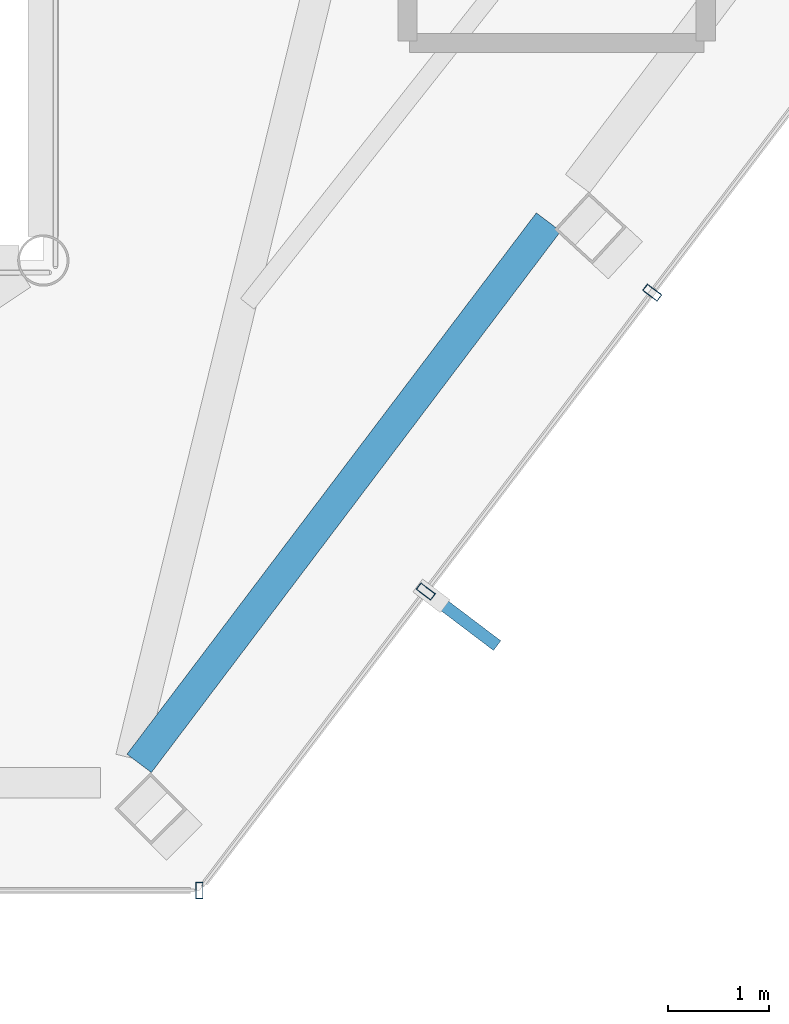
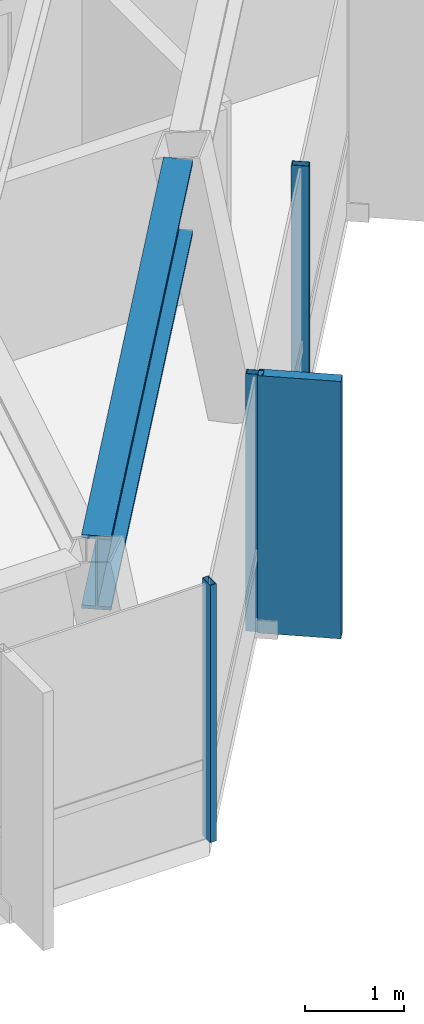
# One storey, part 7 of 26: 4 members, 1 beam, 2 elements without a shape of their own.
"""IFC4 building model written with IfcOpenShell, lengths in metres."""

import ifcopenshell
import ifcopenshell.guid

model = None  # the IFC model being written
_history = None  # IfcOwnerHistory: only IFC2X3 demands one
_inside = {}  # id of a spatial element -> (the spatial element, [elements in it])
_under = {}  # id of a project, library or spatial element -> (it, [spatial elements below it])
_declared = {}  # id of a project -> (the project, [libraries it declares])
_typed = {}  # id of a type object -> (the type object, [elements of that type])
_made_of = {}  # id of a material, layer set ... -> (it, [elements and type objects made of it])


def new_model(schema):
    """Start an empty IFC model of exactly this schema.

    Asked for "IFC4X3", IfcOpenShell would pick the latest addendum, in which some entities
    have other attributes; the version numbers below select the first issue.
    IFC2X3 requires an IfcOwnerHistory on every rooted entity: one is made here for all.
    """
    global model, _history
    if schema == "IFC4X3":
        model = ifcopenshell.file(schema_version=(4, 3, 0, 0))
    else:
        model = ifcopenshell.file(schema=schema)
    _inside.clear()
    _under.clear()
    _declared.clear()
    _typed.clear()
    _made_of.clear()
    _history = None
    if model.schema == "IFC2X3":
        org = make("IfcOrganization", Name="unknown")
        user = make(
            "IfcPersonAndOrganization",
            ThePerson=make("IfcPerson", FamilyName="unknown"),
            TheOrganization=org,
        )
        app = make(
            "IfcApplication",
            ApplicationDeveloper=org,
            Version="unknown",
            ApplicationFullName="unknown",
            ApplicationIdentifier="unknown",
        )
        _history = make(
            "IfcOwnerHistory",
            OwningUser=user,
            OwningApplication=app,
            ChangeAction="ADDED",
            CreationDate=0,
        )
    return model


def make(cls, **values):
    """One entity of the class cls with the attributes given. An attribute that is None is left unset."""
    return model.create_entity(
        cls, **{name: value for name, value in values.items() if value is not None}
    )


def rooted(cls, **values):
    """An entity with a GlobalId (a new one), such as an element, a storey or a relation."""
    return make(cls, GlobalId=ifcopenshell.guid.new(), OwnerHistory=_history, **values)


def si_unit(unit_type, name, prefix=None):
    """IfcSIUnit, for example si_unit("LENGTHUNIT", "METRE", prefix="MILLI")."""
    return make("IfcSIUnit", UnitType=unit_type, Prefix=prefix, Name=name)


def assignment(units):
    """IfcUnitAssignment: the units of a project."""
    return None if units is None else make("IfcUnitAssignment", Units=units)


def point(xyz):
    """IfcCartesianPoint."""
    return None if xyz is None else make("IfcCartesianPoint", Coordinates=xyz)


def direction(xyz):
    """IfcDirection."""
    return None if xyz is None else make("IfcDirection", DirectionRatios=xyz)


def frame(location, z_axis=None, x_axis=None):
    """IfcAxis2Placement3D, a coordinate frame: its origin and axes. An axis left out is left unset."""
    return make(
        "IfcAxis2Placement3D",
        Location=point(location),
        Axis=direction(z_axis),
        RefDirection=direction(x_axis),
    )


def frame_2d(location, x_axis=None):
    """IfcAxis2Placement2D, a coordinate frame in the plane: its origin and x axis."""
    return make(
        "IfcAxis2Placement2D", Location=point(location), RefDirection=direction(x_axis)
    )


def origin():
    """The frame at (0, 0, 0) with its axes left unset."""
    return frame((0.0, 0.0, 0.0))


def origin_2d():
    """The frame at (0, 0) in the plane with its x axis left unset."""
    return frame_2d((0.0, 0.0))


def place(relative_to, where):
    """IfcLocalPlacement: puts the frame where relative to a parent placement (None: the world)."""
    return make(
        "IfcLocalPlacement", PlacementRelTo=relative_to, RelativePlacement=where
    )


def context(
    kind, dimensions, precision=None, world=None, true_north=None, identifier=None
):
    """IfcGeometricRepresentationContext, for example the 3D "Model" context."""
    return make(
        "IfcGeometricRepresentationContext",
        ContextIdentifier=identifier,
        ContextType=kind,
        CoordinateSpaceDimension=dimensions,
        Precision=precision,
        WorldCoordinateSystem=world,
        TrueNorth=true_north,
    )


def subcontext(parent, identifier, kind, view, scale=None):
    """IfcGeometricRepresentationSubContext, for example "Body" below "Model"."""
    return make(
        "IfcGeometricRepresentationSubContext",
        ContextIdentifier=identifier,
        ContextType=kind,
        ParentContext=parent,
        TargetScale=scale,
        TargetView=view,
    )


def project(units=None, contexts=None):
    """IfcProject with its units and contexts."""
    return rooted(
        "IfcProject",
        Name="project",
        RepresentationContexts=contexts,
        UnitsInContext=assignment(units),
    )


def spatial(cls, under=None, at=None, **own):
    """A site, building, storey or space (cls), placed at a placement, below another one or the project."""
    s = rooted(cls, ObjectPlacement=at, **own)
    if under is not None:
        _under.setdefault(under.id(), (under, []))[1].append(s)
    return s


def profile(cls, at=None, kind="AREA", **sizes):
    """A parametric profile (cls). Its sizes go by their IFC names, for example OverallWidth=200.0."""
    return make(cls, ProfileType=kind, Position=at, **sizes)


def rectangle(**sizes):
    """IfcRectangleProfileDef."""
    return profile("IfcRectangleProfileDef", **sizes)


def hollow_rectangle(**sizes):
    """IfcRectangleHollowProfileDef."""
    return profile("IfcRectangleHollowProfileDef", **sizes)


def i_section(**sizes):
    """IfcIShapeProfileDef."""
    return profile("IfcIShapeProfileDef", **sizes)


def extrude(swept, where, along, depth):
    """IfcExtrudedAreaSolid: the profile swept, set in the frame where, extruded along a direction by depth."""
    return make(
        "IfcExtrudedAreaSolid",
        SweptArea=swept,
        Position=where,
        ExtrudedDirection=direction(along),
        Depth=depth,
    )


def shape(context_of_items, identifier, shape_type, items):
    """IfcShapeRepresentation: the items that make up one representation, for example the "Body"."""
    return make(
        "IfcShapeRepresentation",
        ContextOfItems=context_of_items,
        RepresentationIdentifier=identifier,
        RepresentationType=shape_type,
        Items=items,
    )


def material(Name=None, Category=None):
    """IfcMaterial."""
    return make("IfcMaterial", Name=Name, Category=Category)


def layer(
    of_material, thickness, ventilated=None, Name=None, Category=None, Priority=None
):
    """IfcMaterialLayer: one layer of a wall or slab, of a material (None: an air gap)."""
    return make(
        "IfcMaterialLayer",
        Material=of_material,
        LayerThickness=thickness,
        IsVentilated=ventilated,
        Name=Name,
        Category=Category,
        Priority=Priority,
    )


def layer_set(layers, Name=None):
    """IfcMaterialLayerSet."""
    return make("IfcMaterialLayerSet", MaterialLayers=layers, LayerSetName=Name)


def material_profile(
    of_material, cross_section, Name=None, Category=None, Priority=None
):
    """IfcMaterialProfile: a cross section and its material."""
    return make(
        "IfcMaterialProfile",
        Name=Name,
        Material=of_material,
        Profile=cross_section,
        Priority=Priority,
        Category=Category,
    )


def profile_set(profiles, Name=None, composite=None):
    """IfcMaterialProfileSet."""
    return make(
        "IfcMaterialProfileSet",
        Name=Name,
        MaterialProfiles=profiles,
        CompositeProfile=composite,
    )


def made_of(thing, what):
    """Note that an element or type object is made of a material, layer set ...; save() writes the relation."""
    if what is not None:
        _made_of.setdefault(what.id(), (what, []))[1].append(thing)
    return thing


def type_object(cls, material=None, **own):
    """A type object (cls), such as IfcWallType, which elements share."""
    return made_of(rooted(cls, **own), material)


def element(
    cls,
    number,
    at=None,
    inside=None,
    cuts=None,
    type_object=None,
    material=None,
    context=None,
    identifier="Body",
    shape_type=None,
    held_by="IfcProductDefinitionShape",
    body=None,
    shapes=None,
    **own,
):
    """One element of the class cls, such as IfcWall. Its Tag is "e" and its number.

    at: its placement. inside: the storey or other place that contains it. cuts: it is an
    opening in that element (IfcRelVoidsElement). A single representation is given by context,
    identifier, shape_type and body (its items); several are given by shapes. held_by: the class
    of the entity that holds the representations. save() writes the other relations.
    """
    e = rooted(cls, Tag="e%d" % number, ObjectPlacement=at, **own)
    if body is not None:
        shapes = [shape(context, identifier, shape_type, body)]
    if shapes is not None:
        e.Representation = make(held_by, Representations=shapes)
    if inside is not None:
        _inside.setdefault(inside.id(), (inside, []))[1].append(e)
    if cuts is not None:
        rooted(
            "IfcRelVoidsElement", RelatingBuildingElement=cuts, RelatedOpeningElement=e
        )
    if type_object is not None:
        _typed.setdefault(type_object.id(), (type_object, []))[1].append(e)
    return made_of(e, material)


def aggregate(whole, parts):
    """IfcRelAggregates: a whole, such as a stair, and the parts it consists of."""
    return rooted("IfcRelAggregates", RelatingObject=whole, RelatedObjects=parts)


def save(model, path):
    """Write the relations noted so far, then the file.

    IfcRelAggregates (storeys below a building ...), IfcRelContainedInSpatialStructure (elements
    in a storey), IfcRelDefinesByType, IfcRelAssociatesMaterial and IfcRelDeclares: one each for
    every whole, place, type object, material and project.
    """
    for whole, parts in _under.values():
        aggregate(whole, parts)
    for where, things in _inside.values():
        rooted(
            "IfcRelContainedInSpatialStructure",
            RelatedElements=things,
            RelatingStructure=where,
        )
    for kind, things in _typed.values():
        rooted("IfcRelDefinesByType", RelatedObjects=things, RelatingType=kind)
    for what, things in _made_of.values():
        rooted("IfcRelAssociatesMaterial", RelatedObjects=things, RelatingMaterial=what)
    for by, libraries in _declared.values():
        rooted("IfcRelDeclares", RelatingContext=by, RelatedDefinitions=libraries)
    model.write(path)


model = new_model("IFC4")

# Units and contexts
model_context = context("Model", 3, precision=1e-05, world=origin(), true_north=direction((0.0, 1.0)))
body_context = subcontext(model_context, "Body", "Model", "MODEL_VIEW")
ifc_project = project(units=[si_unit("LENGTHUNIT", "METRE"), si_unit("AREAUNIT", "SQUARE_METRE"), si_unit("VOLUMEUNIT", "CUBIC_METRE"), si_unit("PLANEANGLEUNIT", "RADIAN"), si_unit("MASSUNIT", "GRAM", prefix="KILO")], contexts=[model_context])

# Site, building, storey
site_placement = place(None, origin())
site = spatial("IfcSite", under=ifc_project, at=site_placement, CompositionType="ELEMENT")
building_placement = place(site_placement, origin())
building = spatial("IfcBuilding", under=site, at=building_placement, Name="Zarrinselat Tower", CompositionType="ELEMENT")
storey_placement = place(building_placement, frame((0.0, 0.0, 265.199951171875)))
storey = spatial("IfcBuildingStorey", under=building, at=storey_placement, Name="L67", CompositionType="ELEMENT", Elevation=265.199951171875)

# Beam
ifc_material_1 = material(Name="Steel S460M", Category="steel")
ifc_material_profile_1 = material_profile(ifc_material_1, i_section(OverallWidth=0.302001953125, OverallDepth=0.909912109375, WebThickness=0.02099609375, FlangeThickness=0.0400390625, at=origin_2d()), Name="HEM 900")
ifc_profile_set_1 = profile_set([ifc_material_profile_1], Name="Steel S460M")
beam_type = type_object("IfcBeamType", Name="BM-HEM900", PredefinedType="BEAM", material=ifc_profile_set_1)
beam_placement = place(storey_placement, frame((42.747314453125, 20.227783203125, 2.72509765625), z_axis=(0.603161908748, 0.797618776005, 0.0), x_axis=(-0.797618776005, 0.603161908748, 0.0)))
element("IfcBeam", 1, at=beam_placement, inside=storey, type_object=beam_type, Name="L67 Perimeter Spandrel Girder SP11", PredefinedType="BEAM", context=body_context, shape_type="SweptSolid", body=[
    extrude(i_section(OverallWidth=0.302001953125, OverallDepth=0.909912109375, WebThickness=0.02099609375, FlangeThickness=0.0400390625, at=origin_2d()), origin(), (0.0, 0.0, 1.0), 6.710693359375),
])

# Curtain wall, members
ifc_material_2 = material(Name="Extruded Aluminium Alloy EN AW-6063 T6", Category="aluminium")
ifc_layer_1 = layer(ifc_material_2, 0.199951171875)
ifc_layer_set_1 = layer_set([ifc_layer_1], Name="Extruded Aluminium Alloy EN AW-6063 T6")
curtain_wall_type_1 = type_object("IfcCurtainWallType", Name="CWS-BLADE", PredefinedType="NOTDEFINED", material=ifc_layer_set_1)
curtain_wall_1_placement = place(storey_placement, origin())
curtain_wall_1 = element("IfcCurtainWall", 2, at=curtain_wall_1_placement, inside=storey, type_object=curtain_wall_type_1, Name="L67 Unitised Curtain Wall CW-L67-E05", PredefinedType="NOTDEFINED")
ifc_material_3 = material(Name="Extruded Aluminium Alloy EN AW-6063 T6", Category="aluminium")
ifc_material_profile_2 = material_profile(ifc_material_3, hollow_rectangle(XDim=0.080078125, YDim=0.179931640625, WallThickness=0.0048828125, at=origin_2d()), Name="RHS 180x80x5")
ifc_profile_set_2 = profile_set([ifc_material_profile_2], Name="Extruded Aluminium Alloy EN AW-6063 T6")
member_type_1 = type_object("IfcMemberType", Name="MEM-CW-MUL", PredefinedType="MULLION", material=ifc_profile_set_2)
member_1_placement = place(storey_placement, frame((45.58154296875, 21.926513671875, 0.0), z_axis=(0.0, 0.0, 1.0), x_axis=(0.603859570382, 0.7970907221, 0.0)))
member_1 = element("IfcMember", 3, at=member_1_placement, type_object=member_type_1, Name="CW-L67-E05 Mullion 1", PredefinedType="MULLION", context=body_context, shape_type="SweptSolid", body=[
    extrude(hollow_rectangle(XDim=0.080078125, YDim=0.179931640625, WallThickness=0.0048828125, at=origin_2d()), origin(), (0.0, 0.0, 1.0), 3.179931640625),
])
member_2_placement = place(storey_placement, frame((47.820556640625, 24.8818359375, 0.0), z_axis=(0.0, 0.0, 1.0), x_axis=(0.603859570382, 0.7970907221, 0.0)))
member_2 = element("IfcMember", 4, at=member_2_placement, type_object=member_type_1, Name="CW-L67-E05 Mullion 2", PredefinedType="MULLION", context=body_context, shape_type="SweptSolid", body=[
    extrude(hollow_rectangle(XDim=0.080078125, YDim=0.179931640625, WallThickness=0.0048828125, at=origin_2d()), origin(), (0.0, 0.0, 1.0), 3.179931640625),
])

# Curtain wall, member
ifc_material_4 = material(Name="Extruded Aluminium Alloy EN AW-6063 T6", Category="aluminium")
ifc_layer_2 = layer(ifc_material_4, 0.169921875)
ifc_layer_set_2 = layer_set([ifc_layer_2], Name="Extruded Aluminium Alloy EN AW-6063 T6")
curtain_wall_type_2 = type_object("IfcCurtainWallType", Name="CWS-RES", PredefinedType="NOTDEFINED", material=ifc_layer_set_2)
curtain_wall_2_placement = place(storey_placement, origin())
curtain_wall_2 = element("IfcCurtainWall", 5, at=curtain_wall_2_placement, inside=storey, type_object=curtain_wall_type_2, Name="L67 Unitised Curtain Wall CW-L67-E04", PredefinedType="NOTDEFINED")
ifc_material_5 = material(Name="Extruded Aluminium Alloy EN AW-6063 T6", Category="aluminium")
ifc_material_profile_3 = material_profile(ifc_material_5, hollow_rectangle(XDim=0.070068359375, YDim=0.159912109375, WallThickness=0.00390625, at=origin_2d()), Name="RHS 160x70x4")
ifc_profile_set_3 = profile_set([ifc_material_profile_3], Name="Extruded Aluminium Alloy EN AW-6063 T6")
member_type_2 = type_object("IfcMemberType", Name="MEM-CW-MUL2", PredefinedType="MULLION", material=ifc_profile_set_3)
member_3_placement = place(storey_placement, frame((43.3427734375, 18.97119140625, 0.0), z_axis=(0.0, 0.0, 1.0), x_axis=(1.0, 0.0, 0.0)))
member_3 = element("IfcMember", 6, at=member_3_placement, type_object=member_type_2, Name="CW-L67-E04 Mullion 6", PredefinedType="MULLION", context=body_context, shape_type="SweptSolid", body=[
    extrude(hollow_rectangle(XDim=0.070068359375, YDim=0.159912109375, WallThickness=0.00390625, at=origin_2d()), origin(), (0.0, 0.0, 1.0), 3.179931640625),
])
aggregate(curtain_wall_2, [member_3])

# Member
ifc_material_6 = material(Name="Honed Cream Travertine Stone", Category="masonry")
ifc_material_profile_4 = material_profile(ifc_material_6, rectangle(XDim=0.1201171875, YDim=0.85009765625, at=origin_2d()), Name="FIN 850x120")
ifc_profile_set_4 = profile_set([ifc_material_profile_4], Name="Honed Cream Travertine Stone")
member_type_3 = type_object("IfcMemberType", Name="MEM-STONE-FIN", PredefinedType="USERDEFINED", material=ifc_profile_set_4)
member_4_placement = place(storey_placement, frame((45.9482421875, 21.648681640625, 0.0), z_axis=(0.0, 0.0, 1.0), x_axis=(-0.603859570382, -0.7970907221, 0.0)))
member_4 = element("IfcMember", 7, at=member_4_placement, type_object=member_type_3, Name="L67 Stone Shading Fin CW-L67-E05-01", ObjectType="FIN", PredefinedType="USERDEFINED", context=body_context, shape_type="SweptSolid", body=[
    extrude(rectangle(XDim=0.1201171875, YDim=0.85009765625, at=origin_2d()), origin(), (0.0, 0.0, 1.0), 3.179931640625),
])

aggregate(curtain_wall_1, [member_1, member_4, member_2])

save(model, "model.ifc")
